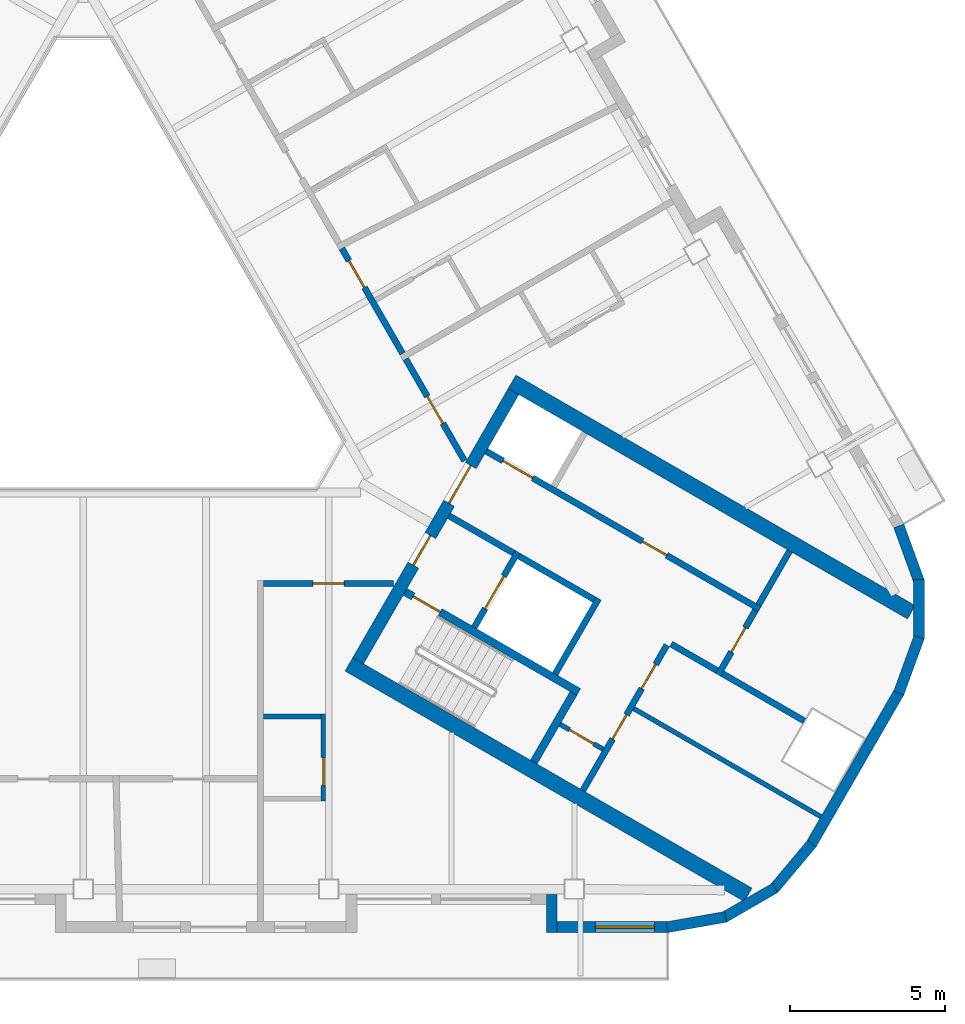
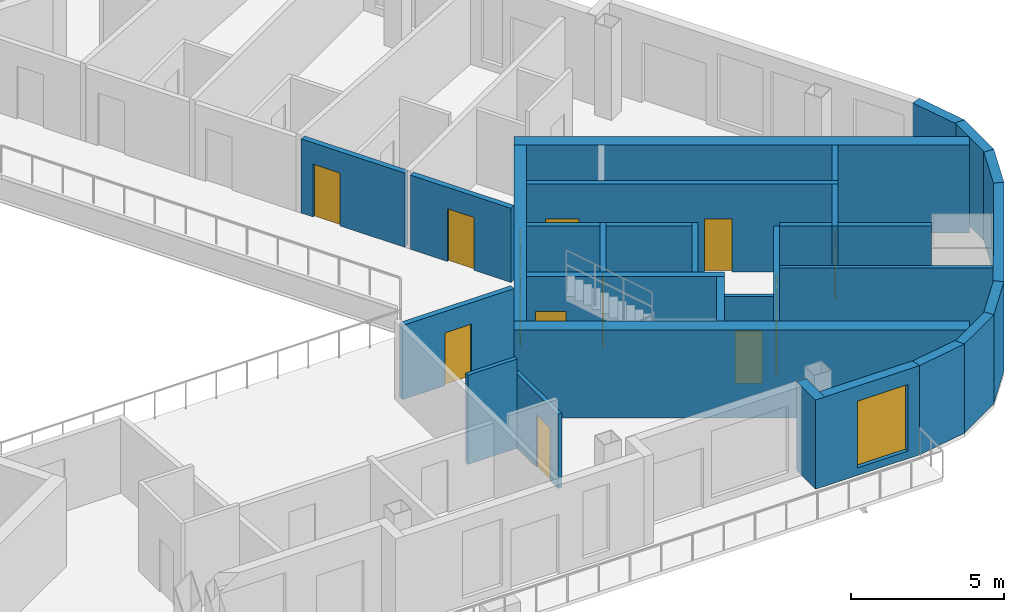
# One storey, part 5 of 14: 31 walls, 14 doors, 1 window, 15 openings.
"""IFC4 building model written with IfcOpenShell, lengths in metres."""

import ifcopenshell
import ifcopenshell.guid

model = None  # the IFC model being written
_history = None  # IfcOwnerHistory: only IFC2X3 demands one
_inside = {}  # id of a spatial element -> (the spatial element, [elements in it])
_under = {}  # id of a project, library or spatial element -> (it, [spatial elements below it])
_declared = {}  # id of a project -> (the project, [libraries it declares])
_typed = {}  # id of a type object -> (the type object, [elements of that type])
_made_of = {}  # id of a material, layer set ... -> (it, [elements and type objects made of it])


def new_model(schema):
    """Start an empty IFC model of exactly this schema.

    Asked for "IFC4X3", IfcOpenShell would pick the latest addendum, in which some entities
    have other attributes; the version numbers below select the first issue.
    IFC2X3 requires an IfcOwnerHistory on every rooted entity: one is made here for all.
    """
    global model, _history
    if schema == "IFC4X3":
        model = ifcopenshell.file(schema_version=(4, 3, 0, 0))
    else:
        model = ifcopenshell.file(schema=schema)
    _inside.clear()
    _under.clear()
    _declared.clear()
    _typed.clear()
    _made_of.clear()
    _history = None
    if model.schema == "IFC2X3":
        org = make("IfcOrganization", Name="unknown")
        user = make(
            "IfcPersonAndOrganization",
            ThePerson=make("IfcPerson", FamilyName="unknown"),
            TheOrganization=org,
        )
        app = make(
            "IfcApplication",
            ApplicationDeveloper=org,
            Version="unknown",
            ApplicationFullName="unknown",
            ApplicationIdentifier="unknown",
        )
        _history = make(
            "IfcOwnerHistory",
            OwningUser=user,
            OwningApplication=app,
            ChangeAction="ADDED",
            CreationDate=0,
        )
    return model


def make(cls, **values):
    """One entity of the class cls with the attributes given. An attribute that is None is left unset."""
    return model.create_entity(
        cls, **{name: value for name, value in values.items() if value is not None}
    )


def rooted(cls, **values):
    """An entity with a GlobalId (a new one), such as an element, a storey or a relation."""
    return make(cls, GlobalId=ifcopenshell.guid.new(), OwnerHistory=_history, **values)


def si_unit(unit_type, name, prefix=None):
    """IfcSIUnit, for example si_unit("LENGTHUNIT", "METRE", prefix="MILLI")."""
    return make("IfcSIUnit", UnitType=unit_type, Prefix=prefix, Name=name)


def assignment(units):
    """IfcUnitAssignment: the units of a project."""
    return None if units is None else make("IfcUnitAssignment", Units=units)


def point(xyz):
    """IfcCartesianPoint."""
    return None if xyz is None else make("IfcCartesianPoint", Coordinates=xyz)


def direction(xyz):
    """IfcDirection."""
    return None if xyz is None else make("IfcDirection", DirectionRatios=xyz)


def frame(location, z_axis=None, x_axis=None):
    """IfcAxis2Placement3D, a coordinate frame: its origin and axes. An axis left out is left unset."""
    return make(
        "IfcAxis2Placement3D",
        Location=point(location),
        Axis=direction(z_axis),
        RefDirection=direction(x_axis),
    )


def frame_2d(location, x_axis=None):
    """IfcAxis2Placement2D, a coordinate frame in the plane: its origin and x axis."""
    return make(
        "IfcAxis2Placement2D", Location=point(location), RefDirection=direction(x_axis)
    )


def origin():
    """The frame at (0, 0, 0) with its axes left unset."""
    return frame((0.0, 0.0, 0.0))


def place(relative_to, where):
    """IfcLocalPlacement: puts the frame where relative to a parent placement (None: the world)."""
    return make(
        "IfcLocalPlacement", PlacementRelTo=relative_to, RelativePlacement=where
    )


def context(
    kind, dimensions, precision=None, world=None, true_north=None, identifier=None
):
    """IfcGeometricRepresentationContext, for example the 3D "Model" context."""
    return make(
        "IfcGeometricRepresentationContext",
        ContextIdentifier=identifier,
        ContextType=kind,
        CoordinateSpaceDimension=dimensions,
        Precision=precision,
        WorldCoordinateSystem=world,
        TrueNorth=true_north,
    )


def subcontext(parent, identifier, kind, view, scale=None):
    """IfcGeometricRepresentationSubContext, for example "Body" below "Model"."""
    return make(
        "IfcGeometricRepresentationSubContext",
        ContextIdentifier=identifier,
        ContextType=kind,
        ParentContext=parent,
        TargetScale=scale,
        TargetView=view,
    )


def project(units=None, contexts=None):
    """IfcProject with its units and contexts."""
    return rooted(
        "IfcProject",
        Name="project",
        RepresentationContexts=contexts,
        UnitsInContext=assignment(units),
    )


def spatial(cls, under=None, at=None, **own):
    """A site, building, storey or space (cls), placed at a placement, below another one or the project."""
    s = rooted(cls, ObjectPlacement=at, **own)
    if under is not None:
        _under.setdefault(under.id(), (under, []))[1].append(s)
    return s


def profile(cls, at=None, kind="AREA", **sizes):
    """A parametric profile (cls). Its sizes go by their IFC names, for example OverallWidth=200.0."""
    return make(cls, ProfileType=kind, Position=at, **sizes)


def rectangle(**sizes):
    """IfcRectangleProfileDef."""
    return profile("IfcRectangleProfileDef", **sizes)


def extrude(swept, where, along, depth):
    """IfcExtrudedAreaSolid: the profile swept, set in the frame where, extruded along a direction by depth."""
    return make(
        "IfcExtrudedAreaSolid",
        SweptArea=swept,
        Position=where,
        ExtrudedDirection=direction(along),
        Depth=depth,
    )


def shape(context_of_items, identifier, shape_type, items):
    """IfcShapeRepresentation: the items that make up one representation, for example the "Body"."""
    return make(
        "IfcShapeRepresentation",
        ContextOfItems=context_of_items,
        RepresentationIdentifier=identifier,
        RepresentationType=shape_type,
        Items=items,
    )


def material(Name=None, Category=None):
    """IfcMaterial."""
    return make("IfcMaterial", Name=Name, Category=Category)


def layer(
    of_material, thickness, ventilated=None, Name=None, Category=None, Priority=None
):
    """IfcMaterialLayer: one layer of a wall or slab, of a material (None: an air gap)."""
    return make(
        "IfcMaterialLayer",
        Material=of_material,
        LayerThickness=thickness,
        IsVentilated=ventilated,
        Name=Name,
        Category=Category,
        Priority=Priority,
    )


def layer_set(layers, Name=None):
    """IfcMaterialLayerSet."""
    return make("IfcMaterialLayerSet", MaterialLayers=layers, LayerSetName=Name)


def made_of(thing, what):
    """Note that an element or type object is made of a material, layer set ...; save() writes the relation."""
    if what is not None:
        _made_of.setdefault(what.id(), (what, []))[1].append(thing)
    return thing


def type_object(cls, material=None, **own):
    """A type object (cls), such as IfcWallType, which elements share."""
    return made_of(rooted(cls, **own), material)


def element(
    cls,
    number,
    at=None,
    inside=None,
    cuts=None,
    type_object=None,
    material=None,
    context=None,
    identifier="Body",
    shape_type=None,
    held_by="IfcProductDefinitionShape",
    body=None,
    shapes=None,
    **own,
):
    """One element of the class cls, such as IfcWall. Its Tag is "e" and its number.

    at: its placement. inside: the storey or other place that contains it. cuts: it is an
    opening in that element (IfcRelVoidsElement). A single representation is given by context,
    identifier, shape_type and body (its items); several are given by shapes. held_by: the class
    of the entity that holds the representations. save() writes the other relations.
    """
    e = rooted(cls, Tag="e%d" % number, ObjectPlacement=at, **own)
    if body is not None:
        shapes = [shape(context, identifier, shape_type, body)]
    if shapes is not None:
        e.Representation = make(held_by, Representations=shapes)
    if inside is not None:
        _inside.setdefault(inside.id(), (inside, []))[1].append(e)
    if cuts is not None:
        rooted(
            "IfcRelVoidsElement", RelatingBuildingElement=cuts, RelatedOpeningElement=e
        )
    if type_object is not None:
        _typed.setdefault(type_object.id(), (type_object, []))[1].append(e)
    return made_of(e, material)


def fill(opening, filler):
    """IfcRelFillsElement: the door or window that sits in an opening."""
    return rooted(
        "IfcRelFillsElement",
        RelatingOpeningElement=opening,
        RelatedBuildingElement=filler,
    )


def aggregate(whole, parts):
    """IfcRelAggregates: a whole, such as a stair, and the parts it consists of."""
    return rooted("IfcRelAggregates", RelatingObject=whole, RelatedObjects=parts)


def save(model, path):
    """Write the relations noted so far, then the file.

    IfcRelAggregates (storeys below a building ...), IfcRelContainedInSpatialStructure (elements
    in a storey), IfcRelDefinesByType, IfcRelAssociatesMaterial and IfcRelDeclares: one each for
    every whole, place, type object, material and project.
    """
    for whole, parts in _under.values():
        aggregate(whole, parts)
    for where, things in _inside.values():
        rooted(
            "IfcRelContainedInSpatialStructure",
            RelatedElements=things,
            RelatingStructure=where,
        )
    for kind, things in _typed.values():
        rooted("IfcRelDefinesByType", RelatedObjects=things, RelatingType=kind)
    for what, things in _made_of.values():
        rooted("IfcRelAssociatesMaterial", RelatedObjects=things, RelatingMaterial=what)
    for by, libraries in _declared.values():
        rooted("IfcRelDeclares", RelatingContext=by, RelatedDefinitions=libraries)
    model.write(path)


model = new_model("IFC4")

# Units and contexts
model_context = context("Model", 3, precision=1e-05, world=origin(), true_north=direction((0.0, 1.0)))
body_context = subcontext(model_context, "Body", "Model", "MODEL_VIEW")
ifc_project = project(units=[si_unit("LENGTHUNIT", "METRE"), si_unit("AREAUNIT", "SQUARE_METRE"), si_unit("VOLUMEUNIT", "CUBIC_METRE"), si_unit("PLANEANGLEUNIT", "RADIAN"), si_unit("MASSUNIT", "GRAM", prefix="KILO")], contexts=[model_context])

# Site, building, storey
site_placement = place(None, origin())
site = spatial("IfcSite", under=ifc_project, at=site_placement, CompositionType="ELEMENT")
building_placement = place(site_placement, origin())
building = spatial("IfcBuilding", under=site, at=building_placement, Name="Apuvela Tower Hotel", CompositionType="ELEMENT")
storey_placement = place(building_placement, frame((0.0, 0.0, 250.39990234375)))
storey = spatial("IfcBuildingStorey", under=building, at=storey_placement, Name="L61", CompositionType="ELEMENT", Elevation=250.39990234375)

# Wall, openings, doors
ifc_material_1 = material(Name="Concrete C50/60", Category="concrete")
ifc_layer_1 = layer(ifc_material_1, 0.39990234375)
ifc_layer_set_1 = layer_set([ifc_layer_1], Name="COR-WALL-CORE-400")
wall_type_1 = type_object("IfcWallType", Name="COR-WALL-CORE-400", PredefinedType="SHEAR", material=ifc_layer_set_1)
wall_1_placement = place(storey_placement, frame((8.844970703125, -10.880126953125, 0.0), z_axis=(0.0, 0.0, 1.0), x_axis=(0.500004234368, 0.866022959057, 0.0)))
wall_1 = element("IfcWall", 1, at=wall_1_placement, inside=storey, type_object=wall_type_1, Name="Core wall SE", PredefinedType="SHEAR", context=body_context, shape_type="SweptSolid", body=[
    extrude(rectangle(XDim=10.0, YDim=0.39990234375, at=frame_2d((5.0, 0.0))), origin(), (0.0, 0.0, 1.0), 3.5),
])
opening_1_placement = place(wall_1_placement, frame((3.550048828125, 0.0, 0.0)))
opening_1 = element("IfcOpeningElement", 2, at=opening_1_placement, cuts=wall_1, Name="Opening E-FD", PredefinedType="OPENING", context=body_context, shape_type="SweptSolid", body=[
    extrude(rectangle(XDim=1.10009765625, YDim=2.10009765625, at=frame_2d((0.550048828125, 1.050048828125))), frame((0.0, 0.2099609375, 0.0), z_axis=(0.0, -1.0, 0.0), x_axis=(1.0, 0.0, 0.0)), (0.0, 0.0, 1.0), 0.419921875),
])
opening_2_placement = place(wall_1_placement, frame((5.85009765625, 0.0, 0.0)))
opening_2 = element("IfcOpeningElement", 3, at=opening_2_placement, cuts=wall_1, Name="Opening E-GD", PredefinedType="OPENING", context=body_context, shape_type="SweptSolid", body=[
    extrude(rectangle(XDim=1.39990234375, YDim=2.10009765625, at=frame_2d((0.699951171875, 1.050048828125))), frame((0.0, 0.2099609375, 0.0), z_axis=(0.0, -1.0, 0.0), x_axis=(1.0, 0.0, 0.0)), (0.0, 0.0, 1.0), 0.419921875),
])
ifc_material_2 = material(Name="Steel fire door, powder coated", Category="steel")
door_type_1 = type_object("IfcDoorType", Name="COR-FD-1100", OperationType="NOTDEFINED", PredefinedType="DOOR", material=ifc_material_2)
door_1_placement = place(opening_1_placement, frame((1.10009765625, 0.0, 0.0), z_axis=(0.0, 0.0, 1.0), x_axis=(-1.0, 0.0, 0.0)))
door_1 = element("IfcDoor", 4, at=door_1_placement, inside=storey, type_object=door_type_1, Name="Firefighting lobby door E-FD", OperationType="SINGLE_SWING_LEFT", OverallHeight=2.10009765625, OverallWidth=1.10009765625, PredefinedType="DOOR", context=body_context, shape_type="SweptSolid", body=[
    extrude(rectangle(XDim=1.10009765625, YDim=2.10009765625, at=frame_2d((0.550048828125, 1.050048828125))), frame((0.0, 0.02490234375, 0.0), z_axis=(0.0, -1.0, 0.0), x_axis=(1.0, 0.0, 0.0)), (0.0, 0.0, 1.0), 0.050048828125),
])
fill(opening_1, door_1)
ifc_material_3 = material(Name="Glazed steel fire door", Category="steel")
door_type_2 = type_object("IfcDoorType", Name="COR-GD-1400", OperationType="DOUBLE_DOOR_SINGLE_SWING", PredefinedType="DOOR", material=ifc_material_3)
door_2_placement = place(opening_2_placement, frame((1.39990234375, 0.0, 0.0), z_axis=(0.0, 0.0, 1.0), x_axis=(-1.0, 0.0, 0.0)))
door_2 = element("IfcDoor", 5, at=door_2_placement, inside=storey, type_object=door_type_2, Name="Lift lobby door E-GD", OperationType="DOUBLE_DOOR_SINGLE_SWING", OverallHeight=2.10009765625, OverallWidth=1.39990234375, PredefinedType="DOOR", context=body_context, shape_type="SweptSolid", body=[
    extrude(rectangle(XDim=1.39990234375, YDim=2.10009765625, at=frame_2d((0.699951171875, 1.050048828125))), frame((0.0, 0.02490234375, 0.0), z_axis=(0.0, -1.0, 0.0), x_axis=(1.0, 0.0, 0.0)), (0.0, 0.0, 1.0), 0.050048828125),
])
fill(opening_2, door_2)

# Walls
ifc_layer_2 = layer(ifc_material_1, 0.5)
ifc_layer_set_2 = layer_set([ifc_layer_2], Name="COR-WALL-CORE-500")
wall_type_2 = type_object("IfcWallType", Name="COR-WALL-CORE-500", PredefinedType="SHEAR", material=ifc_layer_set_2)
for number, where, z_axis, x_axis, name in (
    (6, (8.546630859375, -10.99658203125, 0.0), (0.0, 0.0, 1.0), (0.866025009528, -0.500000682871, 0.0), "Core wall SE"),
    (7, (13.796630859375, -1.9033203125, 0.0), (0.0, 0.0, 1.0), (0.866025009528, -0.500000682871, 0.0), "Core wall SE"),
):
    element("IfcWall", number, at=place(storey_placement, frame(where, z_axis=z_axis, x_axis=x_axis)), inside=storey, type_object=wall_type_2, Name=name, PredefinedType="SHEAR", context=body_context, shape_type="SweptSolid", body=[
        extrude(rectangle(XDim=14.8369140625, YDim=0.5, at=frame_2d((7.41845703125, 0.0))), origin(), (0.0, 0.0, 1.0), 3.5),
    ])

# Wall, opening, door
ifc_material_4 = material(Name="Blockwork 150 mm plastered", Category="masonry")
ifc_layer_3 = layer(ifc_material_4, 0.14990234375)
ifc_layer_set_3 = layer_set([ifc_layer_3], Name="COR-WALL-PART-150")
wall_type_3 = type_object("IfcWallType", Name="COR-WALL-PART-150", PredefinedType="PARTITIONING", material=ifc_layer_set_3)
wall_2_placement = place(storey_placement, frame((15.341552734375, -12.927734375, 0.0), z_axis=(0.0, 0.0, 1.0), x_axis=(0.865989903783, -0.500061482766, 0.0)))
wall_2 = element("IfcWall", 8, at=wall_2_placement, inside=storey, type_object=wall_type_3, Name="Partition SE", PredefinedType="PARTITIONING", context=body_context, shape_type="SweptSolid", body=[
    extrude(rectangle(XDim=1.599853515625, YDim=0.14990234375, at=frame_2d((0.7998046875, 0.0))), origin(), (0.0, 0.0, 1.0), 3.5),
])
opening_3_placement = place(wall_2_placement, frame((0.35009765625, 0.0, 0.0)))
opening_3 = element("IfcOpeningElement", 9, at=opening_3_placement, cuts=wall_2, Name="Opening E-RD", PredefinedType="OPENING", context=body_context, shape_type="SweptSolid", body=[
    extrude(rectangle(XDim=0.89990234375, YDim=2.10009765625, at=frame_2d((0.449951171875, 1.050048828125))), frame((0.0, 0.0849609375, 0.0), z_axis=(0.0, -1.0, 0.0), x_axis=(1.0, 0.0, 0.0)), (0.0, 0.0, 1.0), 0.169921875),
])
ifc_material_5 = material(Name="Steel access door, powder coated", Category="steel")
door_type_3 = type_object("IfcDoorType", Name="COR-RD-900", OperationType="NOTDEFINED", PredefinedType="DOOR", material=ifc_material_5)
door_3_placement = place(opening_3_placement, frame((0.89990234375, 0.0, 0.0), z_axis=(0.0, 0.0, 1.0), x_axis=(-1.0, 0.0, 0.0)))
door_3 = element("IfcDoor", 10, at=door_3_placement, inside=storey, type_object=door_type_3, Name="Riser door E-RD", OperationType="SINGLE_SWING_LEFT", OverallHeight=2.10009765625, OverallWidth=0.89990234375, PredefinedType="DOOR", context=body_context, shape_type="SweptSolid", body=[
    extrude(rectangle(XDim=0.89990234375, YDim=2.10009765625, at=frame_2d((0.449951171875, 1.050048828125))), frame((0.0, 0.02490234375, 0.0), z_axis=(0.0, -1.0, 0.0), x_axis=(1.0, 0.0, 0.0)), (0.0, 0.0, 1.0), 0.050048828125),
])
fill(opening_3, door_3)

# Wall
wall_3_placement = place(storey_placement, frame((17.712890625, -12.42041015625, 0.0), z_axis=(0.0, 0.0, 1.0), x_axis=(0.866016523273, -0.500015381182, 0.0)))
element("IfcWall", 11, at=wall_3_placement, inside=storey, type_object=wall_type_3, Name="Partition SE", PredefinedType="PARTITIONING", context=body_context, shape_type="SweptSolid", body=[
    extrude(rectangle(XDim=6.949951171875, YDim=0.14990234375, at=frame_2d((3.47509765625, 0.0))), origin(), (0.0, 0.0, 1.0), 3.5),
])

# Wall, openings, doors
ifc_material_6 = material(Name="Blockwork 200 mm plastered", Category="masonry")
ifc_layer_4 = layer(ifc_material_6, 0.199951171875)
ifc_layer_set_4 = layer_set([ifc_layer_4], Name="COR-WALL-PART-200")
wall_type_4 = type_object("IfcWallType", Name="COR-WALL-PART-200", PredefinedType="PARTITIONING", material=ifc_layer_set_4)
wall_4_placement = place(storey_placement, frame((16.076171875, -15.05517578125, 0.0), z_axis=(0.0, 0.0, 1.0), x_axis=(0.499995103361, 0.866028230842, 0.0)))
wall_4 = element("IfcWall", 12, at=wall_4_placement, inside=storey, type_object=wall_type_4, Name="Partition SE", PredefinedType="PARTITIONING", context=body_context, shape_type="SweptSolid", body=[
    extrude(rectangle(XDim=5.39990234375, YDim=0.199951171875, at=frame_2d((2.699951171875, 0.0))), origin(), (0.0, 0.0, 1.0), 3.5),
])
opening_4_placement = place(wall_4_placement, frame((1.91259765625, 0.0, 0.0)))
opening_4 = element("IfcOpeningElement", 13, at=opening_4_placement, cuts=wall_4, Name="Opening E-RS1", PredefinedType="OPENING", context=body_context, shape_type="SweptSolid", body=[
    extrude(rectangle(XDim=0.89990234375, YDim=2.10009765625, at=frame_2d((0.449951171875, 1.050048828125))), frame((0.0, 0.10986328125, 0.0), z_axis=(0.0, -1.0, 0.0), x_axis=(1.0, 0.0, 0.0)), (0.0, 0.0, 1.0), 0.219970703125),
])
opening_5_placement = place(wall_4_placement, frame((3.78759765625, 0.0, 0.0)))
opening_5 = element("IfcOpeningElement", 14, at=opening_5_placement, cuts=wall_4, Name="Opening E-RS2", PredefinedType="OPENING", context=body_context, shape_type="SweptSolid", body=[
    extrude(rectangle(XDim=0.89990234375, YDim=2.10009765625, at=frame_2d((0.449951171875, 1.050048828125))), frame((0.0, 0.10986328125, 0.0), z_axis=(0.0, -1.0, 0.0), x_axis=(1.0, 0.0, 0.0)), (0.0, 0.0, 1.0), 0.219970703125),
])
door_type_4 = type_object("IfcDoorType", Name="COR-DR-900", OperationType="NOTDEFINED", PredefinedType="DOOR", material=ifc_material_2)
door_4_placement = place(opening_4_placement, frame((0.89990234375, 0.0, 0.0), z_axis=(0.0, 0.0, 1.0), x_axis=(-1.0, 0.0, 0.0)))
door_4 = element("IfcDoor", 15, at=door_4_placement, inside=storey, type_object=door_type_4, Name="Store door E-RS1", OperationType="SINGLE_SWING_LEFT", OverallHeight=2.10009765625, OverallWidth=0.89990234375, PredefinedType="DOOR", context=body_context, shape_type="SweptSolid", body=[
    extrude(rectangle(XDim=0.89990234375, YDim=2.10009765625, at=frame_2d((0.449951171875, 1.050048828125))), frame((0.0, 0.02490234375, 0.0), z_axis=(0.0, -1.0, 0.0), x_axis=(1.0, 0.0, 0.0)), (0.0, 0.0, 1.0), 0.050048828125),
])
fill(opening_4, door_4)
door_5_placement = place(opening_5_placement, frame((0.89990234375, 0.0, 0.0), z_axis=(0.0, 0.0, 1.0), x_axis=(-1.0, 0.0, 0.0)))
door_5 = element("IfcDoor", 16, at=door_5_placement, inside=storey, type_object=door_type_4, Name="Store door E-RS2", OperationType="SINGLE_SWING_LEFT", OverallHeight=2.10009765625, OverallWidth=0.89990234375, PredefinedType="DOOR", context=body_context, shape_type="SweptSolid", body=[
    extrude(rectangle(XDim=0.89990234375, YDim=2.10009765625, at=frame_2d((0.449951171875, 1.050048828125))), frame((0.0, 0.02490234375, 0.0), z_axis=(0.0, -1.0, 0.0), x_axis=(1.0, 0.0, 0.0)), (0.0, 0.0, 1.0), 0.050048828125),
])
fill(opening_5, door_5)

# Wall
ifc_layer_5 = layer(ifc_material_1, 0.199951171875)
ifc_layer_set_5 = layer_set([ifc_layer_5], Name="COR-WALL-SHAFT-200")
wall_type_5 = type_object("IfcWallType", Name="COR-WALL-SHAFT-200", PredefinedType="SHEAR", material=ifc_layer_set_5)
wall_5_placement = place(storey_placement, frame((15.181396484375, -11.305419921875, 0.0), z_axis=(0.0, 0.0, 1.0), x_axis=(0.49994636267, 0.866056369097, 0.0)))
element("IfcWall", 17, at=wall_5_placement, inside=storey, type_object=wall_type_5, Name="Shaft wall SE", PredefinedType="SHEAR", context=body_context, shape_type="SweptSolid", body=[
    extrude(rectangle(XDim=2.800048828125, YDim=0.199951171875, at=frame_2d((1.39990234375, 0.0))), origin(), (0.0, 0.0, 1.0), 3.5),
])

# Wall, opening, door
wall_6_placement = place(storey_placement, frame((12.583251953125, -9.805419921875, 0.0), z_axis=(0.0, 0.0, 1.0), x_axis=(0.49994636267, 0.866056369097, 0.0)))
wall_6 = element("IfcWall", 18, at=wall_6_placement, inside=storey, type_object=wall_type_5, Name="Shaft wall SE", PredefinedType="SHEAR", context=body_context, shape_type="SweptSolid", body=[
    extrude(rectangle(XDim=2.800048828125, YDim=0.199951171875, at=frame_2d((1.39990234375, 0.0))), origin(), (0.0, 0.0, 1.0), 3.5),
])
opening_6_placement = place(wall_6_placement, frame((0.699951171875, 0.0, 0.0)))
opening_6 = element("IfcOpeningElement", 19, at=opening_6_placement, cuts=wall_6, Name="Opening E-LD-FS3", PredefinedType="OPENING", context=body_context, shape_type="SweptSolid", body=[
    extrude(rectangle(XDim=1.199951171875, YDim=2.10009765625, at=frame_2d((0.60009765625, 1.050048828125))), frame((0.0, 0.10986328125, 0.0), z_axis=(0.0, -1.0, 0.0), x_axis=(1.0, 0.0, 0.0)), (0.0, 0.0, 1.0), 0.219970703125),
])
ifc_material_7 = material(Name="Stainless steel lift landing door", Category="steel")
door_type_5 = type_object("IfcDoorType", Name="COR-LD-1200", OperationType="DOUBLE_DOOR_SLIDING", PredefinedType="DOOR", material=ifc_material_7)
door_6_placement = place(opening_6_placement, origin())
door_6 = element("IfcDoor", 20, at=door_6_placement, inside=storey, type_object=door_type_5, Name="Lift landing door E-LD-FS3", OperationType="DOUBLE_DOOR_SLIDING", OverallHeight=2.10009765625, OverallWidth=1.199951171875, PredefinedType="DOOR", context=body_context, shape_type="SweptSolid", body=[
    extrude(rectangle(XDim=1.199951171875, YDim=2.10009765625, at=frame_2d((0.60009765625, 1.050048828125))), frame((0.0, 0.02490234375, 0.0), z_axis=(0.0, -1.0, 0.0), x_axis=(1.0, 0.0, 0.0)), (0.0, 0.0, 1.0), 0.050048828125),
])
fill(opening_6, door_6)

# Walls
wall_7_placement = place(storey_placement, frame((11.76806640625, -6.217041015625, 0.0), z_axis=(0.0, 0.0, 1.0), x_axis=(0.866050077142, -0.499957262057, 0.0)))
element("IfcWall", 21, at=wall_7_placement, inside=storey, type_object=wall_type_5, Name="Shaft wall SE", PredefinedType="SHEAR", context=body_context, shape_type="SweptSolid", body=[
    extrude(rectangle(XDim=2.400146484375, YDim=0.199951171875, at=frame_2d((1.2001953125, 0.0))), origin(), (0.0, 0.0, 1.0), 3.5),
])
wall_8_placement = place(storey_placement, frame((14.019775390625, -7.51708984375, 0.0), z_axis=(0.0, 0.0, 1.0), x_axis=(0.866034573852, -0.49998411664, 0.0)))
element("IfcWall", 22, at=wall_8_placement, inside=storey, type_object=wall_type_5, Name="Shaft wall SE", PredefinedType="SHEAR", context=body_context, shape_type="SweptSolid", body=[
    extrude(rectangle(XDim=2.7998046875, YDim=0.199951171875, at=frame_2d((1.39990234375, 0.0))), origin(), (0.0, 0.0, 1.0), 3.5),
])

# Wall, openings, doors
wall_9_placement = place(storey_placement, frame((12.968017578125, -4.138427734375, 0.0), z_axis=(0.0, 0.0, 1.0), x_axis=(0.866028328073, -0.49999493495, 0.0)))
wall_9 = element("IfcWall", 23, at=wall_9_placement, inside=storey, type_object=wall_type_5, Name="Shaft wall SE", PredefinedType="SHEAR", context=body_context, shape_type="SweptSolid", body=[
    extrude(rectangle(XDim=10.16015625, YDim=0.199951171875, at=frame_2d((5.080078125, 0.0))), origin(), (0.0, 0.0, 1.0), 3.5),
])
opening_7_placement = place(wall_9_placement, frame((0.6201171875, 0.0, 0.0)))
opening_7 = element("IfcOpeningElement", 24, at=opening_7_placement, cuts=wall_9, Name="Opening E-LD-HR3", PredefinedType="OPENING", context=body_context, shape_type="SweptSolid", body=[
    extrude(rectangle(XDim=1.10009765625, YDim=2.10009765625, at=frame_2d((0.550048828125, 1.050048828125))), frame((0.0, 0.10986328125, 0.0), z_axis=(0.0, -1.0, 0.0), x_axis=(1.0, 0.0, 0.0)), (0.0, 0.0, 1.0), 0.219970703125),
])
opening_8_placement = place(wall_9_placement, frame((5.800048828125, 0.0, 0.0)))
opening_8 = element("IfcOpeningElement", 25, at=opening_8_placement, cuts=wall_9, Name="Opening E-RE2", PredefinedType="OPENING", context=body_context, shape_type="SweptSolid", body=[
    extrude(rectangle(XDim=0.89990234375, YDim=2.10009765625, at=frame_2d((0.449951171875, 1.050048828125))), frame((0.0, 0.10986328125, 0.0), z_axis=(0.0, -1.0, 0.0), x_axis=(1.0, 0.0, 0.0)), (0.0, 0.0, 1.0), 0.219970703125),
])
door_7_placement = place(opening_8_placement, origin())
door_7 = element("IfcDoor", 26, at=door_7_placement, inside=storey, type_object=door_type_4, Name="Store door E-RE2", OperationType="SINGLE_SWING_LEFT", OverallHeight=2.10009765625, OverallWidth=0.89990234375, PredefinedType="DOOR", context=body_context, shape_type="SweptSolid", body=[
    extrude(rectangle(XDim=0.89990234375, YDim=2.10009765625, at=frame_2d((0.449951171875, 1.050048828125))), frame((0.0, 0.02490234375, 0.0), z_axis=(0.0, -1.0, 0.0), x_axis=(1.0, 0.0, 0.0)), (0.0, 0.0, 1.0), 0.050048828125),
])
fill(opening_8, door_7)
door_type_6 = type_object("IfcDoorType", Name="COR-LD-1100", OperationType="DOUBLE_DOOR_SLIDING", PredefinedType="DOOR", material=ifc_material_7)
door_8_placement = place(opening_7_placement, origin())
door_8 = element("IfcDoor", 27, at=door_8_placement, inside=storey, type_object=door_type_6, Name="Lift landing door E-LD-HR3", OperationType="DOUBLE_DOOR_SLIDING", OverallHeight=2.10009765625, OverallWidth=1.10009765625, PredefinedType="DOOR", context=body_context, shape_type="SweptSolid", body=[
    extrude(rectangle(XDim=1.10009765625, YDim=2.10009765625, at=frame_2d((0.550048828125, 1.050048828125))), frame((0.0, 0.02490234375, 0.0), z_axis=(0.0, -1.0, 0.0), x_axis=(1.0, 0.0, 0.0)), (0.0, 0.0, 1.0), 0.050048828125),
])
fill(opening_7, door_8)

# Wall, opening, door
wall_10_placement = place(storey_placement, frame((20.430419921875, -11.33349609375, 0.0), z_axis=(0.0, 0.0, 1.0), x_axis=(0.500001309137, 0.866024647952, 0.0)))
wall_10 = element("IfcWall", 28, at=wall_10_placement, inside=storey, type_object=wall_type_5, Name="Shaft wall SE", PredefinedType="SHEAR", context=body_context, shape_type="SweptSolid", body=[
    extrude(rectangle(XDim=2.39990234375, YDim=0.199951171875, at=frame_2d((1.199951171875, 0.0))), origin(), (0.0, 0.0, 1.0), 3.5),
])
opening_9_placement = place(wall_10_placement, frame((0.85009765625, 0.0, 0.0)))
opening_9 = element("IfcOpeningElement", 29, at=opening_9_placement, cuts=wall_10, Name="Opening E-REP", PredefinedType="OPENING", context=body_context, shape_type="SweptSolid", body=[
    extrude(rectangle(XDim=0.89990234375, YDim=2.10009765625, at=frame_2d((0.449951171875, 1.050048828125))), frame((0.0, 0.10986328125, 0.0), z_axis=(0.0, -1.0, 0.0), x_axis=(1.0, 0.0, 0.0)), (0.0, 0.0, 1.0), 0.219970703125),
])
door_9_placement = place(opening_9_placement, frame((0.89990234375, 0.0, 0.0), z_axis=(0.0, 0.0, 1.0), x_axis=(-1.0, 0.0, 0.0)))
door_9 = element("IfcDoor", 30, at=door_9_placement, inside=storey, type_object=door_type_4, Name="Store door E-REP", OperationType="SINGLE_SWING_RIGHT", OverallHeight=2.10009765625, OverallWidth=0.89990234375, PredefinedType="DOOR", context=body_context, shape_type="SweptSolid", body=[
    extrude(rectangle(XDim=0.89990234375, YDim=2.10009765625, at=frame_2d((0.449951171875, 1.050048828125))), frame((0.0, 0.02490234375, 0.0), z_axis=(0.0, -1.0, 0.0), x_axis=(1.0, 0.0, 0.0)), (0.0, 0.0, 1.0), 0.050048828125),
])
fill(opening_9, door_9)

# Walls
wall_11_placement = place(storey_placement, frame((18.912841796875, -10.342041015625, 0.0), z_axis=(0.0, 0.0, 1.0), x_axis=(0.866038183914, -0.499977863513, 0.0)))
element("IfcWall", 31, at=wall_11_placement, inside=storey, type_object=wall_type_5, Name="Shaft wall SE", PredefinedType="SHEAR", context=body_context, shape_type="SweptSolid", body=[
    extrude(rectangle(XDim=1.7099609375, YDim=0.199951171875, at=frame_2d((0.85498046875, 0.0))), origin(), (0.0, 0.0, 1.0), 3.5),
])
wall_12_placement = place(storey_placement, frame((21.73046875, -9.081787109375, 0.0), z_axis=(0.0, 0.0, 1.0), x_axis=(0.50002537861, 0.866010750942, 0.0)))
element("IfcWall", 32, at=wall_12_placement, inside=storey, type_object=wall_type_5, Name="Shaft wall SE", PredefinedType="SHEAR", context=body_context, shape_type="SweptSolid", body=[
    extrude(rectangle(XDim=2.0, YDim=0.199951171875, at=frame_2d((1.0, 0.0))), origin(), (0.0, 0.0, 1.0), 3.5),
])
wall_13_placement = place(storey_placement, frame((20.56689453125, -11.297119140625, 0.0), z_axis=(0.0, 0.0, 1.0), x_axis=(0.866065229334, -0.49993101378, 0.0)))
element("IfcWall", 33, at=wall_13_placement, inside=storey, type_object=wall_type_5, Name="Shaft wall SE", PredefinedType="SHEAR", context=body_context, shape_type="SweptSolid", body=[
    extrude(rectangle(XDim=3.0400390625, YDim=0.199951171875, at=frame_2d((1.52001953125, 0.0))), origin(), (0.0, 0.0, 1.0), 3.5),
])

# Wall, opening, door
ifc_layer_6 = layer(ifc_material_1, 0.25)
ifc_layer_set_6 = layer_set([ifc_layer_6], Name="COR-WALL-STAIR-250")
wall_type_6 = type_object("IfcWallType", Name="COR-WALL-STAIR-250", PredefinedType="SHEAR", material=ifc_layer_set_6)
wall_14_placement = place(storey_placement, frame((10.355712890625, -8.66357421875, 0.0), z_axis=(0.0, 0.0, 1.0), x_axis=(0.866028629588, -0.499994412703, 0.0)))
wall_14 = element("IfcWall", 34, at=wall_14_placement, inside=storey, type_object=wall_type_6, Name="Stair wall SE", PredefinedType="SHEAR", context=body_context, shape_type="SweptSolid", body=[
    extrude(rectangle(XDim=6.44970703125, YDim=0.25, at=frame_2d((3.224853515625, 0.0))), origin(), (0.0, 0.0, 1.0), 3.5),
])
opening_10_placement = place(wall_14_placement, frame((0.300048828125, 0.0, 0.0)))
opening_10 = element("IfcOpeningElement", 35, at=opening_10_placement, cuts=wall_14, Name="Opening E-SD", PredefinedType="OPENING", context=body_context, shape_type="SweptSolid", body=[
    extrude(rectangle(XDim=1.0, YDim=2.10009765625, at=frame_2d((0.5, 1.050048828125))), frame((0.0, 0.135009765625, 0.0), z_axis=(0.0, -1.0, 0.0), x_axis=(1.0, 0.0, 0.0)), (0.0, 0.0, 1.0), 0.27001953125),
])
door_type_7 = type_object("IfcDoorType", Name="COR-SD-1000", OperationType="NOTDEFINED", PredefinedType="DOOR", material=ifc_material_2)
door_10_placement = place(opening_10_placement, frame((1.0, 0.0, 0.0), z_axis=(0.0, 0.0, 1.0), x_axis=(-1.0, 0.0, 0.0)))
door_10 = element("IfcDoor", 36, at=door_10_placement, inside=storey, type_object=door_type_7, Name="Stair door E-SD", OperationType="SINGLE_SWING_LEFT", OverallHeight=2.10009765625, OverallWidth=1.0, PredefinedType="DOOR", context=body_context, shape_type="SweptSolid", body=[
    extrude(rectangle(XDim=1.0, YDim=2.10009765625, at=frame_2d((0.5, 1.050048828125))), frame((0.0, 0.02490234375, 0.0), z_axis=(0.0, -1.0, 0.0), x_axis=(1.0, 0.0, 0.0)), (0.0, 0.0, 1.0), 0.050048828125),
])
fill(opening_10, door_10)

# Walls
wall_15_placement = place(storey_placement, frame((14.49560546875, -14.142578125, 0.0), z_axis=(0.0, 0.0, 1.0), x_axis=(0.500062241894, 0.865989465428, 0.0)))
element("IfcWall", 37, at=wall_15_placement, inside=storey, type_object=wall_type_6, Name="Stair wall SE", PredefinedType="SHEAR", context=body_context, shape_type="SweptSolid", body=[
    extrude(rectangle(XDim=2.550048828125, YDim=0.25, at=frame_2d((1.27490234375, 0.0))), origin(), (0.0, 0.0, 1.0), 3.5),
])
ifc_material_8 = material(Name="Concrete C40/50, dark pigmented precast panel", Category="concrete")
ifc_layer_7 = layer(ifc_material_8, 0.35009765625)
ifc_layer_set_7 = layer_set([ifc_layer_7], Name="ENV-WALL-350")
wall_type_7 = type_object("IfcWallType", Name="ENV-WALL-350", PredefinedType="SOLIDWALL", material=ifc_layer_set_7)
wall_16_placement = place(storey_placement, frame((15.074951171875, -18.409912109375, 0.0), z_axis=(0.0, 0.0, 1.0), x_axis=(0.0, -1.0, 0.0)))
element("IfcWall", 38, at=wall_16_placement, inside=storey, type_object=wall_type_7, Name="External wall L61-24", PredefinedType="SOLIDWALL", context=body_context, shape_type="SweptSolid", body=[
    extrude(rectangle(XDim=1.219970703125, YDim=0.35009765625, at=frame_2d((0.60986328125, 0.0))), origin(), (0.0, 0.0, 1.0), 3.550048828125),
])

# Wall, opening, window
wall_17_placement = place(storey_placement, frame((14.89990234375, -19.455078125, 0.0), z_axis=(0.0, 0.0, 1.0), x_axis=(1.0, 0.0, 0.0)))
wall_17 = element("IfcWall", 39, at=wall_17_placement, inside=storey, type_object=wall_type_7, Name="External wall L61-25", PredefinedType="SOLIDWALL", context=body_context, shape_type="SweptSolid", body=[
    extrude(rectangle(XDim=3.916015625, YDim=0.35009765625, at=frame_2d((1.9580078125, 0.0))), origin(), (0.0, 0.0, 1.0), 3.550048828125),
])
opening_11_placement = place(wall_17_placement, frame((1.574951171875, 0.0, 0.300048828125)))
opening_11 = element("IfcOpeningElement", 40, at=opening_11_placement, cuts=wall_17, Name="Opening WN19", PredefinedType="OPENING", context=body_context, shape_type="SweptSolid", body=[
    extrude(rectangle(XDim=1.89990234375, YDim=2.64990234375, at=frame_2d((0.949951171875, 1.324951171875))), frame((0.0, 0.18505859375, 0.0), z_axis=(0.0, -1.0, 0.0), x_axis=(1.0, 0.0, 0.0)), (0.0, 0.0, 1.0), 0.3701171875),
])
ifc_material_9 = material(Name="Glass, dark tinted laminated insulated glazing unit", Category="glass")
window_type = type_object("IfcWindowType", Name="ENV-WIN-1900x2650", PartitioningType="SINGLE_PANEL", PredefinedType="WINDOW", material=ifc_material_9)
window_placement = place(opening_11_placement, origin())
window = element("IfcWindow", 41, at=window_placement, inside=storey, type_object=window_type, Name="Window WN19", OverallHeight=2.64990234375, OverallWidth=1.89990234375, PartitioningType="SINGLE_PANEL", PredefinedType="WINDOW", context=body_context, shape_type="SweptSolid", body=[
    extrude(rectangle(XDim=1.89990234375, YDim=2.64990234375, at=frame_2d((0.949951171875, 1.324951171875))), frame((0.0, 0.030029296875, 0.0), z_axis=(0.0, -1.0, 0.0), x_axis=(1.0, 0.0, 0.0)), (0.0, 0.0, 1.0), 0.06005859375),
])
fill(opening_11, window)

# Walls
wall_18_placement = place(storey_placement, frame((18.785400390625, -19.457763671875, 0.0), z_axis=(0.0, 0.0, 1.0), x_axis=(0.984798995425, 0.173697837091, 0.0)))
element("IfcWall", 42, at=wall_18_placement, inside=storey, type_object=wall_type_7, Name="External wall L61-26", PredefinedType="SOLIDWALL", context=body_context, shape_type="SweptSolid", body=[
    extrude(rectangle(XDim=1.91015625, YDim=0.35009765625, at=frame_2d((0.955078125, 0.0))), origin(), (0.0, 0.0, 1.0), 3.550048828125),
])
for number, where, z_axis, x_axis, name in (
    (43, (20.609619140625, -19.146728515625, 0.0), (0.0, 0.0, 1.0), (0.866000389056, 0.500043324278, 0.0), "External wall L61-27"),
    (44, (22.21728515625, -18.230712890625, 0.0), (0.0, 0.0, 1.0), (0.642733291068, 0.76609001857, 0.0), "External wall L61-28"),
):
    element("IfcWall", number, at=place(storey_placement, frame(where, z_axis=z_axis, x_axis=x_axis)), inside=storey, type_object=wall_type_7, Name=name, PredefinedType="SOLIDWALL", context=body_context, shape_type="SweptSolid", body=[
        extrude(rectangle(XDim=1.909912109375, YDim=0.35009765625, at=frame_2d((0.955078125, 0.0))), origin(), (0.0, 0.0, 1.0), 3.550048828125),
    ])
wall_19_placement = place(storey_placement, frame((23.427490234375, -16.79248046875, 0.0), z_axis=(0.0, 0.0, 1.0), x_axis=(0.500018773155, 0.866014564827, 0.0)))
element("IfcWall", 45, at=wall_19_placement, inside=storey, type_object=wall_type_7, Name="External wall L61-29", PredefinedType="SOLIDWALL", context=body_context, shape_type="SweptSolid", body=[
    extrude(rectangle(XDim=5.657958984375, YDim=0.35009765625, at=frame_2d((2.8291015625, 0.0))), origin(), (0.0, 0.0, 1.0), 3.550048828125),
])
for number, where, z_axis, x_axis, name in (
    (46, (26.24365234375, -11.920166015625, 0.0), (0.0, 0.0, 1.0), (0.342030395486, 0.939688889242, 0.0), "External wall L61-30"),
    (47, (26.88623046875, -10.18505859375, 0.0), (0.0, 0.0, 1.0), (0.0, 1.0, 0.0), "External wall L61-31"),
    (48, (26.89697265625, -8.334716796875, 0.0), (0.0, 0.0, 1.0), (-0.342030395486, 0.939688889242, 0.0), "External wall L61-32"),
):
    element("IfcWall", number, at=place(storey_placement, frame(where, z_axis=z_axis, x_axis=x_axis)), inside=storey, type_object=wall_type_7, Name=name, PredefinedType="SOLIDWALL", context=body_context, shape_type="SweptSolid", body=[
        extrude(rectangle(XDim=1.91015625, YDim=0.35009765625, at=frame_2d((0.955078125, 0.0))), origin(), (0.0, 0.0, 1.0), 3.550048828125),
    ])

# Wall, opening, door
ifc_material_10 = material(Name="Gypsum board corridor wall on twin steel stud, acoustic", Category="steel")
ifc_layer_8 = layer(ifc_material_10, 0.199951171875)
ifc_layer_set_8 = layer_set([ifc_layer_8], Name="GST-PW2")
wall_type_8 = type_object("IfcWallType", Name="GST-PW2", PredefinedType="PARTITIONING", material=ifc_layer_set_8)
wall_20_placement = place(storey_placement, frame((9.98828125, -8.39990234375, 0.0), z_axis=(0.0, 0.0, 1.0), x_axis=(-1.0, 0.0, 0.0)))
wall_20 = element("IfcWall", 49, at=wall_20_placement, inside=storey, type_object=wall_type_8, Name="L61 partition 17", PredefinedType="PARTITIONING", context=body_context, shape_type="SweptSolid", body=[
    extrude(rectangle(XDim=4.188232421875, YDim=0.199951171875, at=frame_2d((2.09423828125, 0.0))), origin(), (0.0, 0.0, 1.0), 2.9501953125),
])
opening_12_placement = place(wall_20_placement, frame((1.593994140625, 0.0, 0.0)))
opening_12 = element("IfcOpeningElement", 50, at=opening_12_placement, cuts=wall_20, Name="Opening GD23-06", PredefinedType="OPENING", context=body_context, shape_type="SweptSolid", body=[
    extrude(rectangle(XDim=1.0, YDim=2.10009765625, at=frame_2d((0.5, 1.050048828125))), frame((0.0, 0.10986328125, 0.0), z_axis=(0.0, -1.0, 0.0), x_axis=(1.0, 0.0, 0.0)), (0.0, 0.0, 1.0), 0.219970703125),
])
ifc_material_11 = material(Name="Timber door leaf in steel frame", Category="steel")
door_type_8 = type_object("IfcDoorType", Name="GST-D1", OperationType="NOTDEFINED", PredefinedType="DOOR", material=ifc_material_11)
door_11_placement = place(opening_12_placement, origin())
door_11 = element("IfcDoor", 51, at=door_11_placement, inside=storey, type_object=door_type_8, Name="Door L61-06", OperationType="SINGLE_SWING_RIGHT", OverallHeight=2.10009765625, OverallWidth=1.0, PredefinedType="DOOR", context=body_context, shape_type="SweptSolid", body=[
    extrude(rectangle(XDim=1.0, YDim=2.10009765625, at=frame_2d((0.5, 1.050048828125))), frame((0.0, 0.02490234375, 0.0), z_axis=(0.0, -1.0, 0.0), x_axis=(1.0, 0.0, 0.0)), (0.0, 0.0, 1.0), 0.050048828125),
])
fill(opening_12, door_11)

wall_21_placement = place(storey_placement, frame((10.37451171875, -1.16943359375, 0.0), z_axis=(0.0, 0.0, 1.0), x_axis=(0.500055316652, -0.865993464345, 0.0)))
wall_21 = element("IfcWall", 52, at=wall_21_placement, inside=storey, type_object=wall_type_8, Name="L61 partition 21", PredefinedType="PARTITIONING", context=body_context, shape_type="SweptSolid", body=[
    extrude(rectangle(XDim=3.7880859375, YDim=0.199951171875, at=frame_2d((1.89404296875, 0.0))), origin(), (0.0, 0.0, 1.0), 2.9501953125),
])
opening_13_placement = place(wall_21_placement, frame((1.39404296875, 0.0, 0.0)))
opening_13 = element("IfcOpeningElement", 53, at=opening_13_placement, cuts=wall_21, Name="Opening GD23-08", PredefinedType="OPENING", context=body_context, shape_type="SweptSolid", body=[
    extrude(rectangle(XDim=1.0, YDim=2.10009765625, at=frame_2d((0.5, 1.050048828125))), frame((0.0, 0.10986328125, 0.0), z_axis=(0.0, -1.0, 0.0), x_axis=(1.0, 0.0, 0.0)), (0.0, 0.0, 1.0), 0.219970703125),
])
door_12_placement = place(opening_13_placement, origin())
door_12 = element("IfcDoor", 54, at=door_12_placement, inside=storey, type_object=door_type_8, Name="Door L61-08", OperationType="SINGLE_SWING_LEFT", OverallHeight=2.10009765625, OverallWidth=1.0, PredefinedType="DOOR", context=body_context, shape_type="SweptSolid", body=[
    extrude(rectangle(XDim=1.0, YDim=2.10009765625, at=frame_2d((0.5, 1.050048828125))), frame((0.0, 0.02490234375, 0.0), z_axis=(0.0, -1.0, 0.0), x_axis=(1.0, 0.0, 0.0)), (0.0, 0.0, 1.0), 0.050048828125),
])
fill(opening_13, door_12)

wall_22_placement = place(storey_placement, frame((8.322021484375, 2.385986328125, 0.0), z_axis=(0.0, 0.0, 1.0), x_axis=(0.499998439657, -0.866026304647, 0.0)))
wall_22 = element("IfcWall", 55, at=wall_22_placement, inside=storey, type_object=wall_type_8, Name="L61 partition 25", PredefinedType="PARTITIONING", context=body_context, shape_type="SweptSolid", body=[
    extrude(rectangle(XDim=3.9052734375, YDim=0.199951171875, at=frame_2d((1.95263671875, 0.0))), origin(), (0.0, 0.0, 1.0), 2.9501953125),
])
opening_14_placement = place(wall_22_placement, frame((0.455322265625, 0.0, 0.0)))
opening_14 = element("IfcOpeningElement", 56, at=opening_14_placement, cuts=wall_22, Name="Opening GD23-10", PredefinedType="OPENING", context=body_context, shape_type="SweptSolid", body=[
    extrude(rectangle(XDim=1.0, YDim=2.10009765625, at=frame_2d((0.5, 1.050048828125))), frame((0.0, 0.10986328125, 0.0), z_axis=(0.0, -1.0, 0.0), x_axis=(1.0, 0.0, 0.0)), (0.0, 0.0, 1.0), 0.219970703125),
])
door_13_placement = place(opening_14_placement, origin())
door_13 = element("IfcDoor", 57, at=door_13_placement, inside=storey, type_object=door_type_8, Name="Door L61-10", OperationType="SINGLE_SWING_LEFT", OverallHeight=2.10009765625, OverallWidth=1.0, PredefinedType="DOOR", context=body_context, shape_type="SweptSolid", body=[
    extrude(rectangle(XDim=1.0, YDim=2.10009765625, at=frame_2d((0.5, 1.050048828125))), frame((0.0, 0.02490234375, 0.0), z_axis=(0.0, -1.0, 0.0), x_axis=(1.0, 0.0, 0.0)), (0.0, 0.0, 1.0), 0.050048828125),
])
fill(opening_14, door_13)

ifc_material_12 = material(Name="Moisture-resistant gypsum board wet wall on steel stud", Category="steel")
ifc_layer_9 = layer(ifc_material_12, 0.14990234375)
ifc_layer_set_9 = layer_set([ifc_layer_9], Name="GST-PW3")
wall_type_9 = type_object("IfcWallType", Name="GST-PW3", PredefinedType="PARTITIONING", material=ifc_layer_set_9)
wall_23_placement = place(storey_placement, frame((7.72509765625, -15.39990234375, 0.0), z_axis=(0.0, 0.0, 1.0), x_axis=(0.0, 1.0, 0.0)))
wall_23 = element("IfcWall", 58, at=wall_23_placement, inside=storey, type_object=wall_type_9, Name="L61 partition 18", PredefinedType="PARTITIONING", context=body_context, shape_type="SweptSolid", body=[
    extrude(rectangle(XDim=2.7998046875, YDim=0.14990234375, at=frame_2d((1.39990234375, 0.0))), origin(), (0.0, 0.0, 1.0), 2.9501953125),
])
opening_15_placement = place(wall_23_placement, frame((0.5, 0.0, 0.0)))
opening_15 = element("IfcOpeningElement", 59, at=opening_15_placement, cuts=wall_23, Name="Opening GD23-05", PredefinedType="OPENING", context=body_context, shape_type="SweptSolid", body=[
    extrude(rectangle(XDim=0.89990234375, YDim=2.10009765625, at=frame_2d((0.449951171875, 1.050048828125))), frame((0.0, 0.0849609375, 0.0), z_axis=(0.0, -1.0, 0.0), x_axis=(1.0, 0.0, 0.0)), (0.0, 0.0, 1.0), 0.169921875),
])
door_type_9 = type_object("IfcDoorType", Name="GST-D2", OperationType="NOTDEFINED", PredefinedType="DOOR", material=ifc_material_11)
door_14_placement = place(opening_15_placement, origin())
door_14 = element("IfcDoor", 60, at=door_14_placement, inside=storey, type_object=door_type_9, Name="Door L61-05", OperationType="SINGLE_SWING_LEFT", OverallHeight=2.10009765625, OverallWidth=0.89990234375, PredefinedType="DOOR", context=body_context, shape_type="SweptSolid", body=[
    extrude(rectangle(XDim=0.89990234375, YDim=2.10009765625, at=frame_2d((0.449951171875, 1.050048828125))), frame((0.0, 0.02490234375, 0.0), z_axis=(0.0, -1.0, 0.0), x_axis=(1.0, 0.0, 0.0)), (0.0, 0.0, 1.0), 0.050048828125),
])
fill(opening_15, door_14)

# Wall
wall_24_placement = place(storey_placement, frame((5.800048828125, -12.675048828125, 0.0), z_axis=(0.0, 0.0, 1.0), x_axis=(1.0, 0.0, 0.0)))
element("IfcWall", 61, at=wall_24_placement, inside=storey, type_object=wall_type_9, Name="L61 partition 20", PredefinedType="PARTITIONING", context=body_context, shape_type="SweptSolid", body=[
    extrude(rectangle(XDim=1.849853515625, YDim=0.14990234375, at=frame_2d((0.9248046875, 0.0))), origin(), (0.0, 0.0, 1.0), 3.550048828125),
])

save(model, "model.ifc")
